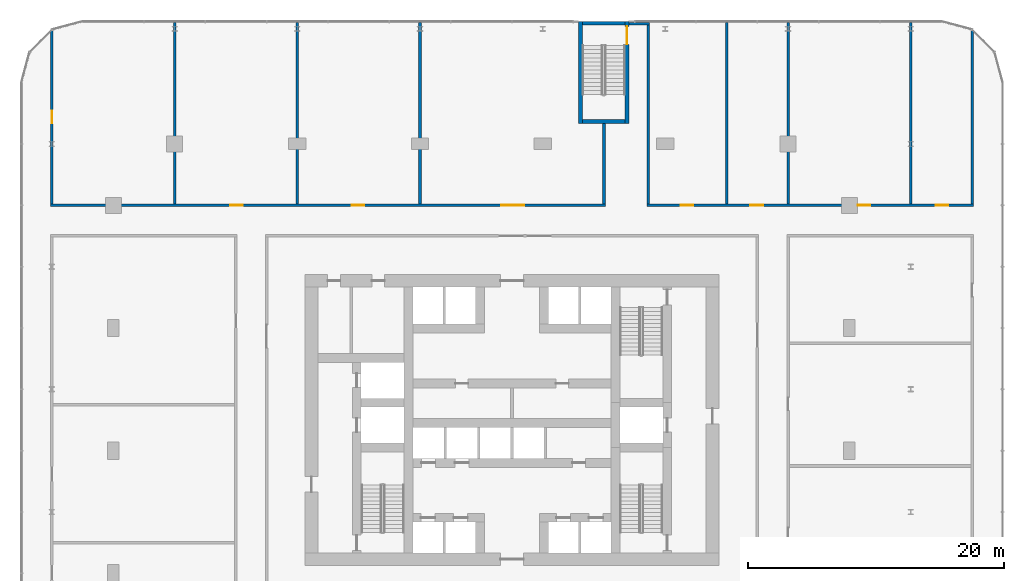
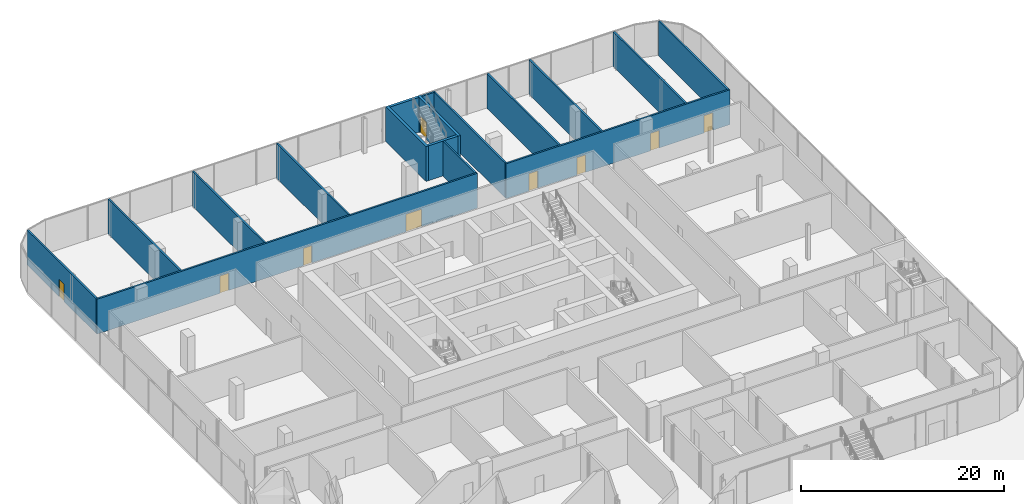
# One storey, part 31 of 38: 17 walls, 9 doors, 9 openings.
"""IFC4 building model written with IfcOpenShell, lengths in metres."""

from ifc_helpers import new_model, si_unit, direction, frame, frame_2d, origin, place, context, subcontext, project, spatial, rectangle, extrude, material, layer, layer_set, type_object, element, fill, save


model = new_model("IFC4")

# Units and contexts
model_context = context("Model", 3, precision=1e-05, world=origin(), true_north=direction((0.0, 1.0)))
body_context = subcontext(model_context, "Body", "Model", "MODEL_VIEW")
ifc_project = project(units=[si_unit("LENGTHUNIT", "METRE"), si_unit("AREAUNIT", "SQUARE_METRE"), si_unit("VOLUMEUNIT", "CUBIC_METRE"), si_unit("PLANEANGLEUNIT", "RADIAN"), si_unit("MASSUNIT", "GRAM", prefix="KILO")], contexts=[model_context])

# Site, building, storey
site_placement = place(None, origin())
site = spatial("IfcSite", under=ifc_project, at=site_placement, CompositionType="ELEMENT")
building_placement = place(site_placement, origin())
building = spatial("IfcBuilding", under=site, at=building_placement, Name="Madar Terraces", CompositionType="ELEMENT")
storey_placement = place(building_placement, frame((0.0, 0.0, 15.0)))
storey = spatial("IfcBuildingStorey", under=building, at=storey_placement, Name="L03", CompositionType="ELEMENT", Elevation=15.0)

# Wall, openings, doors
ifc_material_1 = material(Name="Gypsum board partition, fire-rated")
ifc_layer_1 = layer(ifc_material_1, 0.199951171875)
ifc_layer_set_1 = layer_set([ifc_layer_1], Name="Partition 200 EI 60")
wall_type_1 = type_object("IfcWallType", Name="Partition 200 EI 60", PredefinedType="PARTITIONING", material=ifc_layer_set_1)
wall_1_placement = place(storey_placement, frame((-4.89990234375, 43.199951171875, 0.0), z_axis=(0.0, 0.0, 1.0), x_axis=(1.0, 0.0, 0.0)))
wall_1 = element("IfcWall", 1, at=wall_1_placement, inside=storey, type_object=wall_type_1, Name="Wall COMMUNITY HALL + KITCHEN", PredefinedType="PARTITIONING", context=body_context, shape_type="SweptSolid", body=[
    extrude(rectangle(XDim=43.39990234375, YDim=0.199951171875, at=frame_2d((21.699951171875, 0.0))), origin(), (0.0, 0.0, 1.0), 4.199951171875),
])
opening_1_placement = place(wall_1_placement, frame((14.050048828125, 0.0, 0.0)))
opening_1 = element("IfcOpeningElement", 2, at=opening_1_placement, cuts=wall_1, Name="Opening D31", PredefinedType="OPENING", context=body_context, shape_type="SweptSolid", body=[
    extrude(rectangle(XDim=1.0, YDim=2.10009765625, at=frame_2d((0.5, 1.050048828125))), frame((0.0, 0.10986328125, 0.0), z_axis=(0.0, -1.0, 0.0), x_axis=(1.0, 0.0, 0.0)), (0.0, 0.0, 1.0), 0.219970703125),
])
opening_2_placement = place(wall_1_placement, frame((23.550048828125, 0.0, 0.0)))
opening_2 = element("IfcOpeningElement", 3, at=opening_2_placement, cuts=wall_1, Name="Opening D31", PredefinedType="OPENING", context=body_context, shape_type="SweptSolid", body=[
    extrude(rectangle(XDim=1.0, YDim=2.10009765625, at=frame_2d((0.5, 1.050048828125))), frame((0.0, 0.10986328125, 0.0), z_axis=(0.0, -1.0, 0.0), x_axis=(1.0, 0.0, 0.0)), (0.0, 0.0, 1.0), 0.219970703125),
])
opening_3_placement = place(wall_1_placement, frame((35.25, 0.0, 0.0)))
opening_3 = element("IfcOpeningElement", 4, at=opening_3_placement, cuts=wall_1, Name="Opening D30", PredefinedType="OPENING", context=body_context, shape_type="SweptSolid", body=[
    extrude(rectangle(XDim=1.800048828125, YDim=2.10009765625, at=frame_2d((0.89990234375, 1.050048828125))), frame((0.0, 0.10986328125, 0.0), z_axis=(0.0, -1.0, 0.0), x_axis=(1.0, 0.0, 0.0)), (0.0, 0.0, 1.0), 0.219970703125),
])
ifc_material_2 = material(Name="Timber door leaf, fire-rated", Category="wood")
door_type_1 = type_object("IfcDoorType", Name="Podium door 1000 x 2100 FD30S", OperationType="NOTDEFINED", PredefinedType="DOOR", material=ifc_material_2)
door_1_placement = place(opening_1_placement, origin())
door_1 = element("IfcDoor", 5, at=door_1_placement, inside=storey, type_object=door_type_1, Name="Door OFFICE / PODIUM CORRIDOR", OperationType="SINGLE_SWING_RIGHT", OverallHeight=2.10009765625, OverallWidth=1.0, PredefinedType="DOOR", context=body_context, shape_type="SweptSolid", body=[
    extrude(rectangle(XDim=1.0, YDim=2.10009765625, at=frame_2d((0.5, 1.050048828125))), frame((0.0, 0.02490234375, 0.0), z_axis=(0.0, -1.0, 0.0), x_axis=(1.0, 0.0, 0.0)), (0.0, 0.0, 1.0), 0.050048828125),
])
fill(opening_1, door_1)
door_2_placement = place(opening_2_placement, origin())
door_2 = element("IfcDoor", 6, at=door_2_placement, inside=storey, type_object=door_type_1, Name="Door KITCHEN / PODIUM CORRIDOR", OperationType="SINGLE_SWING_LEFT", OverallHeight=2.10009765625, OverallWidth=1.0, PredefinedType="DOOR", context=body_context, shape_type="SweptSolid", body=[
    extrude(rectangle(XDim=1.0, YDim=2.10009765625, at=frame_2d((0.5, 1.050048828125))), frame((0.0, 0.02490234375, 0.0), z_axis=(0.0, -1.0, 0.0), x_axis=(1.0, 0.0, 0.0)), (0.0, 0.0, 1.0), 0.050048828125),
])
fill(opening_2, door_2)
ifc_material_3 = material(Name="Timber door leaf, fire-rated", Category="wood")
door_type_2 = type_object("IfcDoorType", Name="Podium double door 1800 x 2100 FD30S", OperationType="DOUBLE_DOOR_SINGLE_SWING", PredefinedType="DOOR", material=ifc_material_3)
door_3_placement = place(opening_3_placement, origin())
door_3 = element("IfcDoor", 7, at=door_3_placement, inside=storey, type_object=door_type_2, Name="Door COMMUNITY HALL / PODIUM CORRIDOR", OperationType="DOUBLE_DOOR_SINGLE_SWING", OverallHeight=2.10009765625, OverallWidth=1.800048828125, PredefinedType="DOOR", context=body_context, shape_type="SweptSolid", body=[
    extrude(rectangle(XDim=1.800048828125, YDim=2.10009765625, at=frame_2d((0.89990234375, 1.050048828125))), frame((0.0, 0.02490234375, 0.0), z_axis=(0.0, -1.0, 0.0), x_axis=(1.0, 0.0, 0.0)), (0.0, 0.0, 1.0), 0.050048828125),
])
fill(opening_3, door_3)

wall_2_placement = place(storey_placement, frame((41.75, 43.199951171875, 0.0), z_axis=(0.0, 0.0, 1.0), x_axis=(1.0, 0.0, 0.0)))
wall_2 = element("IfcWall", 8, at=wall_2_placement, inside=storey, type_object=wall_type_1, Name="Wall OFFICE + STORE", PredefinedType="PARTITIONING", context=body_context, shape_type="SweptSolid", body=[
    extrude(rectangle(XDim=25.550048828125, YDim=0.199951171875, at=frame_2d((12.77490234375, 0.0))), origin(), (0.0, 0.0, 1.0), 4.199951171875),
])
opening_4_placement = place(wall_2_placement, frame((2.64990234375, 0.0, 0.0)))
opening_4 = element("IfcOpeningElement", 9, at=opening_4_placement, cuts=wall_2, Name="Opening D31", PredefinedType="OPENING", context=body_context, shape_type="SweptSolid", body=[
    extrude(rectangle(XDim=1.0, YDim=2.10009765625, at=frame_2d((0.5, 1.050048828125))), frame((0.0, 0.10986328125, 0.0), z_axis=(0.0, -1.0, 0.0), x_axis=(1.0, 0.0, 0.0)), (0.0, 0.0, 1.0), 0.219970703125),
])
opening_5_placement = place(wall_2_placement, frame((8.10009765625, 0.0, 0.0)))
opening_5 = element("IfcOpeningElement", 10, at=opening_5_placement, cuts=wall_2, Name="Opening D31", PredefinedType="OPENING", context=body_context, shape_type="SweptSolid", body=[
    extrude(rectangle(XDim=1.0, YDim=2.10009765625, at=frame_2d((0.5, 1.050048828125))), frame((0.0, 0.10986328125, 0.0), z_axis=(0.0, -1.0, 0.0), x_axis=(1.0, 0.0, 0.0)), (0.0, 0.0, 1.0), 0.219970703125),
])
opening_6_placement = place(wall_2_placement, frame((16.5, 0.0, 0.0)))
opening_6 = element("IfcOpeningElement", 11, at=opening_6_placement, cuts=wall_2, Name="Opening D31", PredefinedType="OPENING", context=body_context, shape_type="SweptSolid", body=[
    extrude(rectangle(XDim=1.0, YDim=2.10009765625, at=frame_2d((0.5, 1.050048828125))), frame((0.0, 0.10986328125, 0.0), z_axis=(0.0, -1.0, 0.0), x_axis=(1.0, 0.0, 0.0)), (0.0, 0.0, 1.0), 0.219970703125),
])
opening_7_placement = place(wall_2_placement, frame((22.60009765625, 0.0, 0.0)))
opening_7 = element("IfcOpeningElement", 12, at=opening_7_placement, cuts=wall_2, Name="Opening D31", PredefinedType="OPENING", context=body_context, shape_type="SweptSolid", body=[
    extrude(rectangle(XDim=1.0, YDim=2.10009765625, at=frame_2d((0.5, 1.050048828125))), frame((0.0, 0.10986328125, 0.0), z_axis=(0.0, -1.0, 0.0), x_axis=(1.0, 0.0, 0.0)), (0.0, 0.0, 1.0), 0.219970703125),
])
door_4_placement = place(opening_4_placement, origin())
door_4 = element("IfcDoor", 13, at=door_4_placement, inside=storey, type_object=door_type_1, Name="Door STORE / PODIUM CORRIDOR", OperationType="SINGLE_SWING_RIGHT", OverallHeight=2.10009765625, OverallWidth=1.0, PredefinedType="DOOR", context=body_context, shape_type="SweptSolid", body=[
    extrude(rectangle(XDim=1.0, YDim=2.10009765625, at=frame_2d((0.5, 1.050048828125))), frame((0.0, 0.02490234375, 0.0), z_axis=(0.0, -1.0, 0.0), x_axis=(1.0, 0.0, 0.0)), (0.0, 0.0, 1.0), 0.050048828125),
])
fill(opening_4, door_4)
door_5_placement = place(opening_5_placement, origin())
door_5 = element("IfcDoor", 14, at=door_5_placement, inside=storey, type_object=door_type_1, Name="Door STUDY ROOM / PODIUM CORRIDOR", OperationType="SINGLE_SWING_LEFT", OverallHeight=2.10009765625, OverallWidth=1.0, PredefinedType="DOOR", context=body_context, shape_type="SweptSolid", body=[
    extrude(rectangle(XDim=1.0, YDim=2.10009765625, at=frame_2d((0.5, 1.050048828125))), frame((0.0, 0.02490234375, 0.0), z_axis=(0.0, -1.0, 0.0), x_axis=(1.0, 0.0, 0.0)), (0.0, 0.0, 1.0), 0.050048828125),
])
fill(opening_5, door_5)
door_6_placement = place(opening_6_placement, origin())
door_6 = element("IfcDoor", 15, at=door_6_placement, inside=storey, type_object=door_type_1, Name="Door OFFICE / PODIUM CORRIDOR", OperationType="SINGLE_SWING_RIGHT", OverallHeight=2.10009765625, OverallWidth=1.0, PredefinedType="DOOR", context=body_context, shape_type="SweptSolid", body=[
    extrude(rectangle(XDim=1.0, YDim=2.10009765625, at=frame_2d((0.5, 1.050048828125))), frame((0.0, 0.02490234375, 0.0), z_axis=(0.0, -1.0, 0.0), x_axis=(1.0, 0.0, 0.0)), (0.0, 0.0, 1.0), 0.050048828125),
])
fill(opening_6, door_6)
door_7_placement = place(opening_7_placement, origin())
door_7 = element("IfcDoor", 16, at=door_7_placement, inside=storey, type_object=door_type_1, Name="Door OFFICE / PODIUM CORRIDOR", OperationType="SINGLE_SWING_LEFT", OverallHeight=2.10009765625, OverallWidth=1.0, PredefinedType="DOOR", context=body_context, shape_type="SweptSolid", body=[
    extrude(rectangle(XDim=1.0, YDim=2.10009765625, at=frame_2d((0.5, 1.050048828125))), frame((0.0, 0.02490234375, 0.0), z_axis=(0.0, -1.0, 0.0), x_axis=(1.0, 0.0, 0.0)), (0.0, 0.0, 1.0), 0.050048828125),
])
fill(opening_7, door_7)

# Wall
wall_3_placement = place(storey_placement, frame((40.35009765625, 57.39990234375, 0.0), z_axis=(0.0, 0.0, 1.0), x_axis=(1.0, 0.0, 0.0)))
element("IfcWall", 17, at=wall_3_placement, inside=storey, type_object=wall_type_1, Name="Wall STORE / PODIUM CORRIDOR", PredefinedType="PARTITIONING", context=body_context, shape_type="SweptSolid", body=[
    extrude(rectangle(XDim=1.599853515625, YDim=0.199951171875, at=frame_2d((0.7998046875, 0.0))), origin(), (0.0, 0.0, 1.0), 4.199951171875),
])

# Wall, opening, door
wall_4_placement = place(storey_placement, frame((-4.800048828125, 56.860107421875, 0.0), z_axis=(0.0, 0.0, 1.0), x_axis=(0.0, -1.0, 0.0)))
wall_4 = element("IfcWall", 18, at=wall_4_placement, inside=storey, type_object=wall_type_1, Name="Wall OFFICE / PODIUM CORRIDOR", PredefinedType="PARTITIONING", context=body_context, shape_type="SweptSolid", body=[
    extrude(rectangle(XDim=13.56005859375, YDim=0.199951171875, at=frame_2d((6.780029296875, 0.0))), origin(), (0.0, 0.0, 1.0), 4.199951171875),
])
opening_8_placement = place(wall_4_placement, frame((6.25, 0.0, 0.0)))
opening_8 = element("IfcOpeningElement", 19, at=opening_8_placement, cuts=wall_4, Name="Opening D31", PredefinedType="OPENING", context=body_context, shape_type="SweptSolid", body=[
    extrude(rectangle(XDim=1.0, YDim=2.10009765625, at=frame_2d((0.5, 1.050048828125))), frame((0.0, 0.10986328125, 0.0), z_axis=(0.0, -1.0, 0.0), x_axis=(1.0, 0.0, 0.0)), (0.0, 0.0, 1.0), 0.219970703125),
])
door_8_placement = place(opening_8_placement, origin())
door_8 = element("IfcDoor", 20, at=door_8_placement, inside=storey, type_object=door_type_1, Name="Door OFFICE / PODIUM CORRIDOR", OperationType="SINGLE_SWING_LEFT", OverallHeight=2.10009765625, OverallWidth=1.0, PredefinedType="DOOR", context=body_context, shape_type="SweptSolid", body=[
    extrude(rectangle(XDim=1.0, YDim=2.10009765625, at=frame_2d((0.5, 1.050048828125))), frame((0.0, 0.02490234375, 0.0), z_axis=(0.0, -1.0, 0.0), x_axis=(1.0, 0.0, 0.0)), (0.0, 0.0, 1.0), 0.050048828125),
])
fill(opening_8, door_8)

# Walls
for number, where, z_axis, x_axis, name in (
    (21, (4.800048828125, 43.300048828125, 0.0), (0.0, 0.0, 1.0), (0.0, 1.0, 0.0), "Wall OFFICE / OFFICE"),
    (22, (14.39990234375, 43.300048828125, 0.0), (0.0, 0.0, 1.0), (0.0, 1.0, 0.0), "Wall OFFICE / KITCHEN"),
    (23, (24.0, 43.300048828125, 0.0), (0.0, 0.0, 1.0), (0.0, 1.0, 0.0), "Wall KITCHEN / COMMUNITY HALL"),
):
    element("IfcWall", number, at=place(storey_placement, frame(where, z_axis=z_axis, x_axis=x_axis)), inside=storey, type_object=wall_type_1, Name=name, PredefinedType="PARTITIONING", context=body_context, shape_type="SweptSolid", body=[
        extrude(rectangle(XDim=14.199951171875, YDim=0.199951171875, at=frame_2d((7.10009765625, 0.0))), origin(), (0.0, 0.0, 1.0), 4.199951171875),
    ])
wall_5_placement = place(storey_placement, frame((38.39990234375, 43.300048828125, 0.0), z_axis=(0.0, 0.0, 1.0), x_axis=(0.0, 1.0, 0.0)))
element("IfcWall", 24, at=wall_5_placement, inside=storey, type_object=wall_type_1, Name="Wall COMMUNITY HALL / PODIUM CORRIDOR", PredefinedType="PARTITIONING", context=body_context, shape_type="SweptSolid", body=[
    extrude(rectangle(XDim=6.300048828125, YDim=0.199951171875, at=frame_2d((3.14990234375, 0.0))), origin(), (0.0, 0.0, 1.0), 4.199951171875),
])
wall_6_placement = place(storey_placement, frame((41.85009765625, 43.300048828125, 0.0), z_axis=(0.0, 0.0, 1.0), x_axis=(0.0, 1.0, 0.0)))
element("IfcWall", 25, at=wall_6_placement, inside=storey, type_object=wall_type_1, Name="Wall STORE / PODIUM CORRIDOR", PredefinedType="PARTITIONING", context=body_context, shape_type="SweptSolid", body=[
    extrude(rectangle(XDim=14.0, YDim=0.199951171875, at=frame_2d((7.0, 0.0))), origin(), (0.0, 0.0, 1.0), 4.199951171875),
])
for number, where, z_axis, x_axis, name in (
    (26, (48.0, 43.300048828125, 0.0), (0.0, 0.0, 1.0), (0.0, 1.0, 0.0), "Wall STORE / STUDY ROOM"),
    (27, (52.800048828125, 43.300048828125, 0.0), (0.0, 0.0, 1.0), (0.0, 1.0, 0.0), "Wall STUDY ROOM / OFFICE"),
    (28, (62.39990234375, 43.300048828125, 0.0), (0.0, 0.0, 1.0), (0.0, 1.0, 0.0), "Wall OFFICE / OFFICE"),
):
    element("IfcWall", number, at=place(storey_placement, frame(where, z_axis=z_axis, x_axis=x_axis)), inside=storey, type_object=wall_type_1, Name=name, PredefinedType="PARTITIONING", context=body_context, shape_type="SweptSolid", body=[
        extrude(rectangle(XDim=14.199951171875, YDim=0.199951171875, at=frame_2d((7.10009765625, 0.0))), origin(), (0.0, 0.0, 1.0), 4.199951171875),
    ])
wall_7_placement = place(storey_placement, frame((67.199951171875, 43.300048828125, 0.0), z_axis=(0.0, 0.0, 1.0), x_axis=(0.0, 1.0, 0.0)))
element("IfcWall", 29, at=wall_7_placement, inside=storey, type_object=wall_type_1, Name="Wall OFFICE / PODIUM CORRIDOR", PredefinedType="PARTITIONING", context=body_context, shape_type="SweptSolid", body=[
    extrude(rectangle(XDim=13.56005859375, YDim=0.199951171875, at=frame_2d((6.780029296875, 0.0))), origin(), (0.0, 0.0, 1.0), 4.199951171875),
])
ifc_material_4 = material(Name="Concrete C40/50", Category="concrete")
ifc_layer_2 = layer(ifc_material_4, 0.300048828125)
ifc_layer_set_2 = layer_set([ifc_layer_2], Name="Podium stair wall 300 C40/50")
wall_type_2 = type_object("IfcWallType", Name="Podium stair wall 300 C40/50", PredefinedType="SOLIDWALL", material=ifc_layer_set_2)
wall_8_placement = place(storey_placement, frame((36.550048828125, 49.60009765625, 0.0), z_axis=(0.0, 0.0, 1.0), x_axis=(0.0, 1.0, 0.0)))
element("IfcWall", 30, at=wall_8_placement, inside=storey, type_object=wall_type_2, Name="PODIUM STAIR WALL", PredefinedType="SOLIDWALL", context=body_context, shape_type="SweptSolid", body=[
    extrude(rectangle(XDim=8.0, YDim=0.300048828125, at=frame_2d((4.0, 0.0))), origin(), (0.0, 0.0, 1.0), 4.199951171875),
])

# Wall, opening, door
wall_9_placement = place(storey_placement, frame((40.199951171875, 49.60009765625, 0.0), z_axis=(0.0, 0.0, 1.0), x_axis=(0.0, 1.0, 0.0)))
wall_9 = element("IfcWall", 31, at=wall_9_placement, inside=storey, type_object=wall_type_2, Name="PODIUM STAIR WALL", PredefinedType="SOLIDWALL", context=body_context, shape_type="SweptSolid", body=[
    extrude(rectangle(XDim=8.0, YDim=0.300048828125, at=frame_2d((4.0, 0.0))), origin(), (0.0, 0.0, 1.0), 4.199951171875),
])
opening_9_placement = place(wall_9_placement, frame((6.199951171875, 0.0, 0.0)))
opening_9 = element("IfcOpeningElement", 32, at=opening_9_placement, cuts=wall_9, Name="Opening PSD1", PredefinedType="OPENING", context=body_context, shape_type="SweptSolid", body=[
    extrude(rectangle(XDim=1.39990234375, YDim=2.10009765625, at=frame_2d((0.699951171875, 1.050048828125))), frame((0.0, 0.159912109375, 0.0), z_axis=(0.0, -1.0, 0.0), x_axis=(1.0, 0.0, 0.0)), (0.0, 0.0, 1.0), 0.320068359375),
])
ifc_material_5 = material(Name="Steel door leaf", Category="steel")
door_type_3 = type_object("IfcDoorType", Name="Podium stair door pair 1400 x 2100", OperationType="DOUBLE_DOOR_SINGLE_SWING", PredefinedType="DOOR", material=ifc_material_5)
door_9_placement = place(opening_9_placement, origin())
door_9 = element("IfcDoor", 33, at=door_9_placement, inside=storey, type_object=door_type_3, Name="STAIR DOOR", OperationType="DOUBLE_DOOR_SINGLE_SWING", OverallHeight=2.10009765625, OverallWidth=1.39990234375, PredefinedType="DOOR", context=body_context, shape_type="SweptSolid", body=[
    extrude(rectangle(XDim=1.39990234375, YDim=2.10009765625, at=frame_2d((0.699951171875, 1.050048828125))), frame((0.0, 0.02490234375, 0.0), z_axis=(0.0, -1.0, 0.0), x_axis=(1.0, 0.0, 0.0)), (0.0, 0.0, 1.0), 0.050048828125),
])
fill(opening_9, door_9)

# Walls
wall_10_placement = place(storey_placement, frame((36.699951171875, 49.75, 0.0), z_axis=(0.0, 0.0, 1.0), x_axis=(1.0, 0.0, 0.0)))
element("IfcWall", 34, at=wall_10_placement, inside=storey, type_object=wall_type_2, Name="PODIUM STAIR WALL", PredefinedType="SOLIDWALL", context=body_context, shape_type="SweptSolid", body=[
    extrude(rectangle(XDim=3.35009765625, YDim=0.300048828125, at=frame_2d((1.675048828125, 0.0))), origin(), (0.0, 0.0, 1.0), 4.199951171875),
])
ifc_material_6 = material(Name="Concrete C40/50", Category="concrete")
ifc_layer_3 = layer(ifc_material_6, 0.300048828125)
ifc_layer_set_3 = layer_set([ifc_layer_3], Name="Podium stair wall 300 C40/50, external")
wall_type_3 = type_object("IfcWallType", Name="Podium stair wall 300 C40/50, external", PredefinedType="SOLIDWALL", material=ifc_layer_set_3)
wall_11_placement = place(storey_placement, frame((36.699951171875, 57.449951171875, 0.0), z_axis=(0.0, 0.0, 1.0), x_axis=(1.0, 0.0, 0.0)))
element("IfcWall", 35, at=wall_11_placement, inside=storey, type_object=wall_type_3, Name="PODIUM STAIR WALL", PredefinedType="SOLIDWALL", context=body_context, shape_type="SweptSolid", body=[
    extrude(rectangle(XDim=3.35009765625, YDim=0.300048828125, at=frame_2d((1.675048828125, 0.0))), origin(), (0.0, 0.0, 1.0), 4.199951171875),
])

save(model, "model.ifc")
